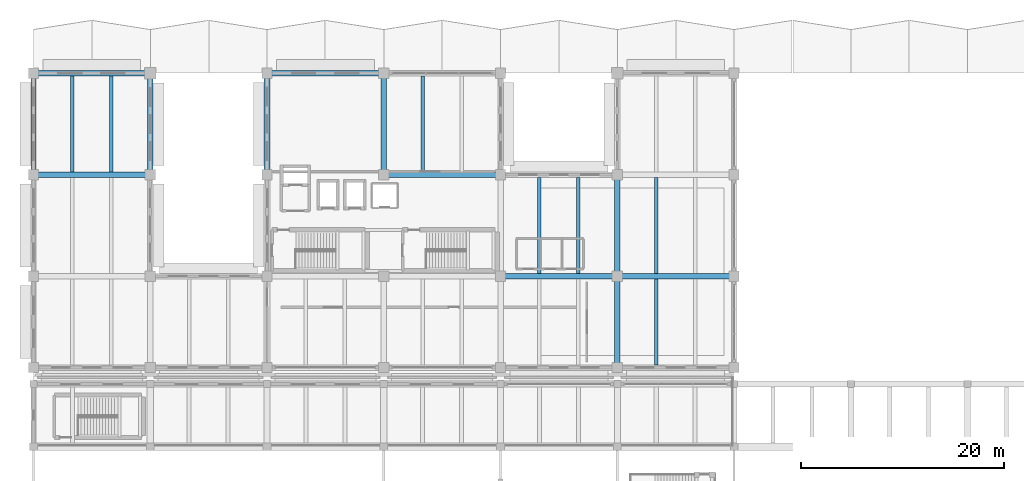
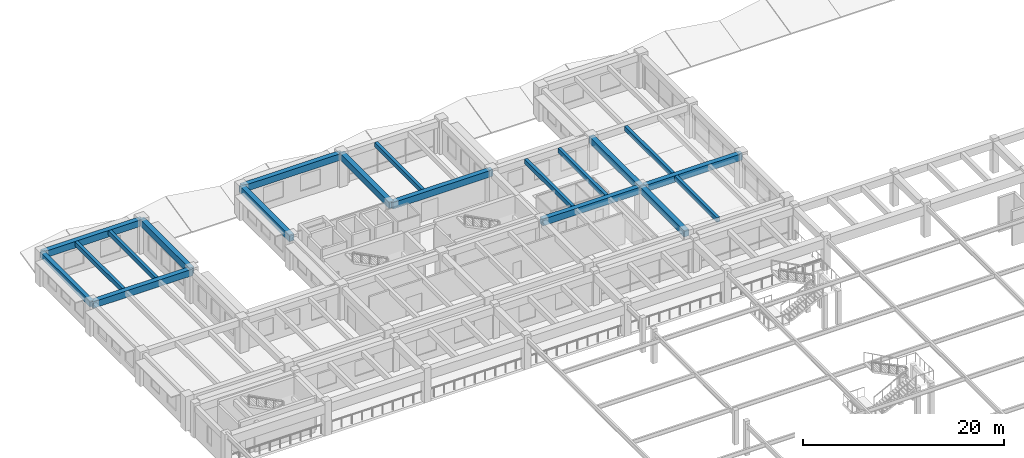
# One storey, part 28 of 98: 19 beams.
"""IFC4 building model written with IfcOpenShell, lengths in metres."""

from ifc_helpers import new_model, si_unit, direction, frame, origin, origin_2d, place, context, subcontext, project, spatial, rectangle, extrude, material, material_profile, profile_set, type_object, element, save


model = new_model("IFC4")

# Units and contexts
model_context = context("Model", 3, precision=1e-05, world=origin(), true_north=direction((0.0, 1.0)))
body_context = subcontext(model_context, "Body", "Model", "MODEL_VIEW")
ifc_project = project(units=[si_unit("LENGTHUNIT", "METRE"), si_unit("AREAUNIT", "SQUARE_METRE"), si_unit("VOLUMEUNIT", "CUBIC_METRE"), si_unit("PLANEANGLEUNIT", "RADIAN"), si_unit("MASSUNIT", "GRAM", prefix="KILO")], contexts=[model_context])

# Site, building, storey
site_placement = place(None, origin())
site = spatial("IfcSite", under=ifc_project, at=site_placement, CompositionType="ELEMENT")
building_placement = place(site_placement, origin())
building = spatial("IfcBuilding", under=site, at=building_placement, Name="Ologun Quay Terminus", CompositionType="ELEMENT")
storey_placement = place(building_placement, frame((0.0, 0.0, 4.199951171875)))
storey = spatial("IfcBuildingStorey", under=building, at=storey_placement, Name="L01", CompositionType="ELEMENT", Elevation=4.199951171875)

# Beams
ifc_material_1 = material(Name="Concrete C40/50", Category="concrete")
ifc_material_profile_1 = material_profile(ifc_material_1, rectangle(XDim=0.550048828125, YDim=0.800048828125, at=origin_2d()), Name="RC 550x800")
ifc_profile_set_1 = profile_set([ifc_material_profile_1], Name="Concrete C40/50")
beam_type_1 = type_object("IfcBeamType", Name="Courtyard Wing Primary Girder 550x800", PredefinedType="BEAM", material=ifc_profile_set_1)
for number, where, z_axis, x_axis, name in (
    (1, (46.0, 94.800048828125, 3.550048828125), (1.0, 0.0, 0.0), (0.0, 1.0, 0.0), "B4 Beam 5/H L01"),
    (2, (57.5, 94.800048828125, 3.550048828125), (1.0, 0.0, 0.0), (0.0, 1.0, 0.0), "B4 Beam 6/H L01"),
    (3, (0.0, 104.800048828125, 3.550048828125), (1.0, 0.0, 0.0), (0.0, 1.0, 0.0), "B4 Beam 1/J L01"),
    (4, (34.5, 104.800048828125, 3.550048828125), (1.0, 0.0, 0.0), (0.0, 1.0, 0.0), "B4 Beam 4/J L01"),
    (5, (0.0, 114.800048828125, 3.550048828125), (1.0, 0.0, 0.0), (0.0, 1.0, 0.0), "B4 Beam 1/K L01"),
    (6, (23.0, 114.800048828125, 3.550048828125), (1.0, 0.0, 0.0), (0.0, 1.0, 0.0), "B4 Beam 3/K L01"),
):
    element("IfcBeam", number, at=place(storey_placement, frame(where, z_axis=z_axis, x_axis=x_axis)), inside=storey, type_object=beam_type_1, Name=name, PredefinedType="BEAM", context=body_context, shape_type="SweptSolid", body=[
        extrude(rectangle(XDim=0.550048828125, YDim=0.800048828125, at=origin_2d()), origin(), (0.0, 0.0, 1.0), 11.5),
    ])
for number, where, z_axis, x_axis, name in (
    (7, (11.5, 104.800048828125, 3.550048828125), (0.0, 1.0, 0.0), (-1.0, 0.0, 0.0), "B4 Beam 2/J L01"),
    (8, (23.0, 104.800048828125, 3.550048828125), (0.0, 1.0, 0.0), (-1.0, 0.0, 0.0), "B4 Beam 3/J L01"),
    (9, (34.5, 104.800048828125, 3.550048828125), (0.0, 1.0, 0.0), (-1.0, 0.0, 0.0), "B4 Beam 4/J L01"),
):
    element("IfcBeam", number, at=place(storey_placement, frame(where, z_axis=z_axis, x_axis=x_axis)), inside=storey, type_object=beam_type_1, Name=name, PredefinedType="BEAM", context=body_context, shape_type="SweptSolid", body=[
        extrude(rectangle(XDim=0.550048828125, YDim=0.800048828125, at=origin_2d()), origin(), (0.0, 0.0, 1.0), 10.0),
    ])
beam_1_placement = place(storey_placement, frame((57.5, 85.800048828125, 3.550048828125), z_axis=(0.0, 1.0, 0.0), x_axis=(-1.0, 0.0, 0.0)))
element("IfcBeam", 10, at=beam_1_placement, inside=storey, type_object=beam_type_1, Name="B4 Beam 6/G2 L01", PredefinedType="BEAM", context=body_context, shape_type="SweptSolid", body=[
    extrude(rectangle(XDim=0.550048828125, YDim=0.800048828125, at=origin_2d()), origin(), (0.0, 0.0, 1.0), 9.0),
])
beam_2_placement = place(storey_placement, frame((57.5, 94.800048828125, 3.550048828125), z_axis=(0.0, 1.0, 0.0), x_axis=(-1.0, 0.0, 0.0)))
element("IfcBeam", 11, at=beam_2_placement, inside=storey, type_object=beam_type_1, Name="B4 Beam 6/H L01", PredefinedType="BEAM", context=body_context, shape_type="SweptSolid", body=[
    extrude(rectangle(XDim=0.550048828125, YDim=0.800048828125, at=origin_2d()), origin(), (0.0, 0.0, 1.0), 10.0),
])
ifc_material_2 = material(Name="Concrete C40/50", Category="concrete")
ifc_material_profile_2 = material_profile(ifc_material_2, rectangle(XDim=0.35009765625, YDim=0.550048828125, at=origin_2d()), Name="RC 350x550")
ifc_profile_set_2 = profile_set([ifc_material_profile_2], Name="Concrete C40/50")
beam_type_2 = type_object("IfcBeamType", Name="Courtyard Wing Secondary Joist 350x550", PredefinedType="JOIST", material=ifc_profile_set_2)
for number, where, z_axis, x_axis, name in (
    (12, (3.833251953125, 105.074951171875, 3.675048828125), (0.0, 1.0, 0.0), (-1.0, 0.0, 0.0), "J2 Beam 1/J L01"),
    (13, (7.666748046875, 105.074951171875, 3.675048828125), (0.0, 1.0, 0.0), (-1.0, 0.0, 0.0), "J2 Beam 1/J L01"),
    (14, (38.333251953125, 105.074951171875, 3.675048828125), (0.0, 1.0, 0.0), (-1.0, 0.0, 0.0), "J2 Beam 4/J L01"),
    (15, (49.833251953125, 95.074951171875, 3.675048828125), (0.0, 1.0, 0.0), (-1.0, 0.0, 0.0), "J2 Beam 5/H L01"),
    (16, (53.666748046875, 95.074951171875, 3.675048828125), (0.0, 1.0, 0.0), (-1.0, 0.0, 0.0), "J2 Beam 5/H L01"),
):
    element("IfcBeam", number, at=place(storey_placement, frame(where, z_axis=z_axis, x_axis=x_axis)), inside=storey, type_object=beam_type_2, Name=name, PredefinedType="JOIST", context=body_context, shape_type="SweptSolid", body=[
        extrude(rectangle(XDim=0.35009765625, YDim=0.550048828125, at=origin_2d()), origin(), (0.0, 0.0, 1.0), 9.449951171875),
    ])
beam_3_placement = place(storey_placement, frame((61.333251953125, 86.074951171875, 3.675048828125), z_axis=(0.0, 1.0, 0.0), x_axis=(-1.0, 0.0, 0.0)))
element("IfcBeam", 17, at=beam_3_placement, inside=storey, type_object=beam_type_2, Name="J2 Beam 6/G2 L01", PredefinedType="JOIST", context=body_context, shape_type="SweptSolid", body=[
    extrude(rectangle(XDim=0.35009765625, YDim=0.550048828125, at=origin_2d()), origin(), (0.0, 0.0, 1.0), 8.449951171875),
])
beam_4_placement = place(storey_placement, frame((61.333251953125, 95.074951171875, 3.675048828125), z_axis=(0.0, 1.0, 0.0), x_axis=(-1.0, 0.0, 0.0)))
element("IfcBeam", 18, at=beam_4_placement, inside=storey, type_object=beam_type_2, Name="J2 Beam 6/H L01", PredefinedType="JOIST", context=body_context, shape_type="SweptSolid", body=[
    extrude(rectangle(XDim=0.35009765625, YDim=0.550048828125, at=origin_2d()), origin(), (0.0, 0.0, 1.0), 9.449951171875),
])
ifc_material_3 = material(Name="Concrete C40/50", Category="concrete")
ifc_material_profile_3 = material_profile(ifc_material_3, rectangle(XDim=0.449951171875, YDim=0.699951171875, at=origin_2d()), Name="RC 450x700")
ifc_profile_set_3 = profile_set([ifc_material_profile_3], Name="Concrete C40/50")
beam_type_3 = type_object("IfcBeamType", Name="Perimeter Spandrel Beam 450x700", PredefinedType="SPANDREL", material=ifc_profile_set_3)
beam_5_placement = place(storey_placement, frame((0.0, 104.800048828125, 3.60009765625), z_axis=(0.0, 1.0, 0.0), x_axis=(-1.0, 0.0, 0.0)))
element("IfcBeam", 19, at=beam_5_placement, inside=storey, type_object=beam_type_3, Name="SP1 Beam 1/J L01", PredefinedType="SPANDREL", context=body_context, shape_type="SweptSolid", body=[
    extrude(rectangle(XDim=0.449951171875, YDim=0.699951171875, at=origin_2d()), origin(), (0.0, 0.0, 1.0), 10.0),
])

save(model, "model.ifc")
